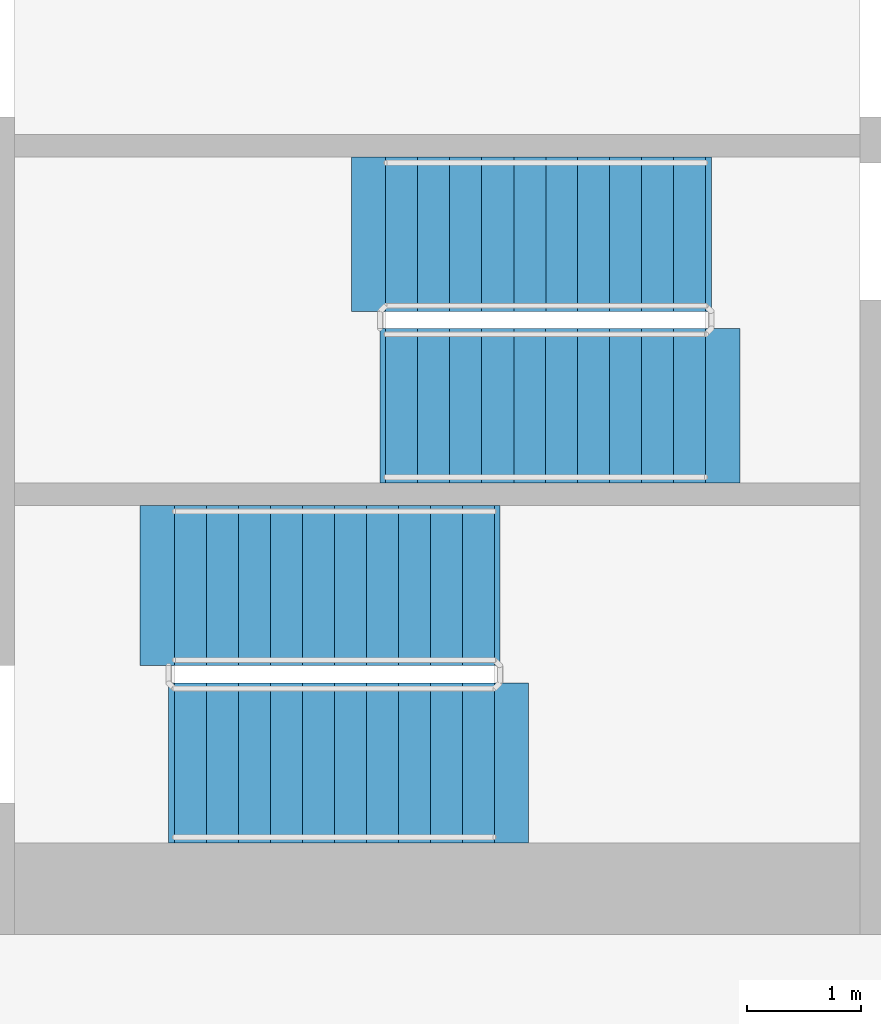
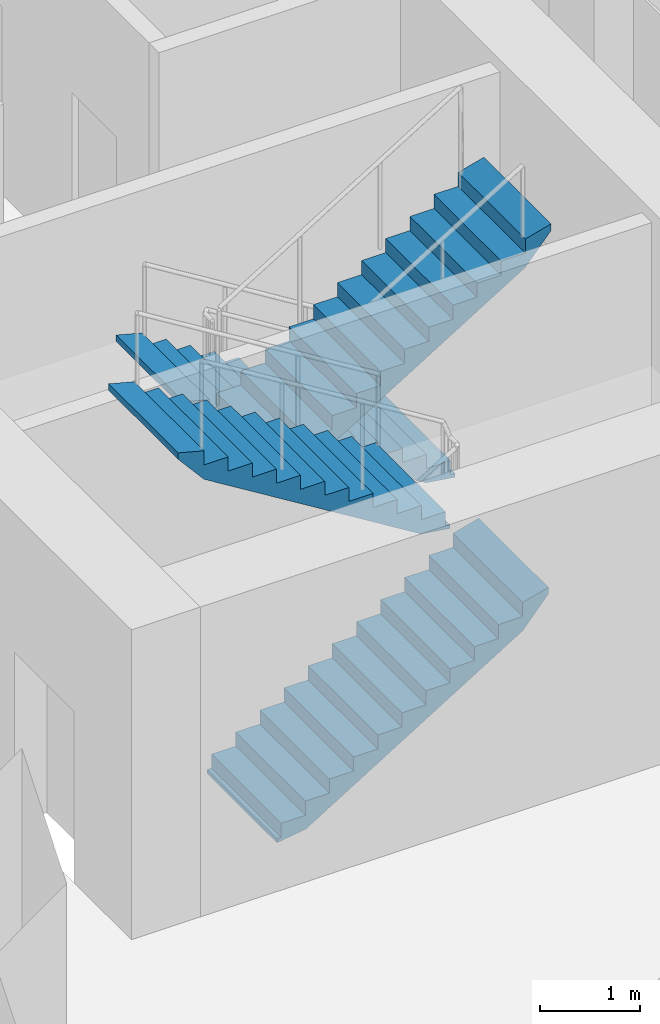
# One storey, part 18 of 22: 4 stair flights, 2 elements without a shape of their own.
"""IFC4 building model written with IfcOpenShell, lengths in metres."""

from ifc_helpers import new_model, si_unit, direction, frame, origin, place, context, subcontext, project, spatial, polyline, outline, extrude, material, type_object, element, aggregate, save


model = new_model("IFC4")

# Units and contexts
model_context = context("Model", 3, precision=1e-05, world=origin(), true_north=direction((0.0, 1.0)))
body_context = subcontext(model_context, "Body", "Model", "MODEL_VIEW")
ifc_project = project(units=[si_unit("LENGTHUNIT", "METRE"), si_unit("AREAUNIT", "SQUARE_METRE"), si_unit("VOLUMEUNIT", "CUBIC_METRE"), si_unit("PLANEANGLEUNIT", "RADIAN"), si_unit("MASSUNIT", "GRAM", prefix="KILO")], contexts=[model_context])

# Site, building, storey
site_placement = place(None, origin())
site = spatial("IfcSite", under=ifc_project, at=site_placement, CompositionType="ELEMENT")
building_placement = place(site_placement, origin())
building = spatial("IfcBuilding", under=site, at=building_placement, Name="Zarbagh Exchange Tower", CompositionType="ELEMENT")
storey_placement = place(building_placement, frame((0.0, 0.0, 124.60009765625)))
storey = spatial("IfcBuildingStorey", under=building, at=storey_placement, Name="L29", CompositionType="ELEMENT", Elevation=124.60009765625)

# Stair, stair flights
ifc_material = material(Name="Concrete C40/50", Category="concrete")
stair_type = type_object("IfcStairType", Name="Exit stair two-flight half-turn", PredefinedType="HALF_TURN_STAIR", material=ifc_material)
stair_1_placement = place(storey_placement, origin())
stair_1 = element("IfcStair", 1, at=stair_1_placement, inside=storey, type_object=stair_type, Name="exit stair ST1", PredefinedType="HALF_TURN_STAIR")
stair_flight_type_1 = type_object("IfcStairFlightType", Name="Stair flight 1350 mm", PredefinedType="STRAIGHT", material=ifc_material)
stair_flight_1_placement = place(storey_placement, frame((2.35009765625, 17.375, 0.0), z_axis=(0.0, 0.0, 1.0), x_axis=(-1.0, 0.0, 0.0)))
stair_flight_1 = element("IfcStairFlight", 2, at=stair_flight_1_placement, type_object=stair_flight_type_1, Name="ST1 flight 1", NumberOfRisers=11, NumberOfTreads=10, PredefinedType="STRAIGHT", RiserHeight=0.172727273, TreadLength=0.28, context=body_context, shape_type="SweptSolid", body=[
    extrude(outline(polyline([(-0.050048828125, -0.050048828125), (-0.050048828125, 0.0), (0.0, 0.0), (0.0, 0.172607421875), (0.280029296875, 0.172607421875), (0.280029296875, 0.345458984375), (0.56005859375, 0.345458984375), (0.56005859375, 0.51806640625), (0.840087890625, 0.51806640625), (0.840087890625, 0.69091796875), (1.1201171875, 0.69091796875), (1.1201171875, 0.863525390625), (1.39990234375, 0.863525390625), (1.39990234375, 1.036376953125), (1.679931640625, 1.036376953125), (1.679931640625, 1.208984375), (1.9599609375, 1.208984375), (1.9599609375, 1.3818359375), (2.239990234375, 1.3818359375), (2.239990234375, 1.554443359375), (2.52001953125, 1.554443359375), (2.52001953125, 1.727294921875), (2.800048828125, 1.727294921875), (2.800048828125, 1.89990234375), (3.10009765625, 1.97998046875), (3.10009765625, 1.89990234375), (2.800048828125, 1.551025390625), (0.285400390625, 0.0), (-0.050048828125, -0.050048828125)])), frame((0.0, 0.675048828125, 0.0), z_axis=(0.0, -1.0, 0.0), x_axis=(1.0, 0.0, 0.0)), (0.0, 0.0, 1.0), 1.35009765625),
])
stair_flight_2_placement = place(storey_placement, frame((-0.449951171875, 15.875, 1.89990234375), z_axis=(0.0, 0.0, 1.0), x_axis=(1.0, 0.0, 0.0)))
stair_flight_2 = element("IfcStairFlight", 3, at=stair_flight_2_placement, type_object=stair_flight_type_1, Name="ST1 flight 2", NumberOfRisers=11, NumberOfTreads=10, PredefinedType="STRAIGHT", RiserHeight=0.172727273, TreadLength=0.28, context=body_context, shape_type="SweptSolid", body=[
    extrude(outline(polyline([(-0.050048828125, -0.050048828125), (-0.050048828125, 0.0), (0.0, 0.0), (0.0, 0.172607421875), (0.280029296875, 0.172607421875), (0.280029296875, 0.345458984375), (0.56005859375, 0.345458984375), (0.56005859375, 0.51806640625), (0.840087890625, 0.51806640625), (0.840087890625, 0.69091796875), (1.1201171875, 0.69091796875), (1.1201171875, 0.863525390625), (1.39990234375, 0.863525390625), (1.39990234375, 1.036376953125), (1.679931640625, 1.036376953125), (1.679931640625, 1.208984375), (1.9599609375, 1.208984375), (1.9599609375, 1.3818359375), (2.239990234375, 1.3818359375), (2.239990234375, 1.554443359375), (2.52001953125, 1.554443359375), (2.52001953125, 1.727294921875), (2.800048828125, 1.727294921875), (2.800048828125, 1.89990234375), (3.10009765625, 1.97998046875), (3.10009765625, 1.89990234375), (2.800048828125, 1.551025390625), (0.285400390625, 0.0), (-0.050048828125, -0.050048828125)])), frame((0.0, 0.675048828125, 0.0), z_axis=(0.0, -1.0, 0.0), x_axis=(1.0, 0.0, 0.0)), (0.0, 0.0, 1.0), 1.35009765625),
])
aggregate(stair_1, [stair_flight_1, stair_flight_2])

stair_2_placement = place(storey_placement, origin())
stair_2 = element("IfcStair", 4, at=stair_2_placement, inside=storey, type_object=stair_type, Name="exit stair ST2", PredefinedType="HALF_TURN_STAIR")
stair_flight_type_2 = type_object("IfcStairFlightType", Name="Stair flight 1400 mm", PredefinedType="STRAIGHT", material=ifc_material)
stair_flight_3_placement = place(storey_placement, frame((-2.300048828125, 12.75, 0.0), z_axis=(0.0, 0.0, 1.0), x_axis=(1.0, 0.0, 0.0)))
stair_flight_3 = element("IfcStairFlight", 5, at=stair_flight_3_placement, type_object=stair_flight_type_2, Name="ST2 flight 1", NumberOfRisers=11, NumberOfTreads=10, PredefinedType="STRAIGHT", RiserHeight=0.172727273, TreadLength=0.28, context=body_context, shape_type="SweptSolid", body=[
    extrude(outline(polyline([(-0.050048828125, -0.050048828125), (-0.050048828125, 0.0), (0.0, 0.0), (0.0, 0.172607421875), (0.280029296875, 0.172607421875), (0.280029296875, 0.345458984375), (0.56005859375, 0.345458984375), (0.56005859375, 0.51806640625), (0.840087890625, 0.51806640625), (0.840087890625, 0.69091796875), (1.1201171875, 0.69091796875), (1.1201171875, 0.863525390625), (1.39990234375, 0.863525390625), (1.39990234375, 1.036376953125), (1.679931640625, 1.036376953125), (1.679931640625, 1.208984375), (1.9599609375, 1.208984375), (1.9599609375, 1.3818359375), (2.239990234375, 1.3818359375), (2.239990234375, 1.554443359375), (2.52001953125, 1.554443359375), (2.52001953125, 1.727294921875), (2.800048828125, 1.727294921875), (2.800048828125, 1.89990234375), (3.10009765625, 1.97998046875), (3.10009765625, 1.89990234375), (2.800048828125, 1.551025390625), (0.285400390625, 0.0), (-0.050048828125, -0.050048828125)])), frame((0.0, 0.699951171875, 0.0), z_axis=(0.0, -1.0, 0.0), x_axis=(1.0, 0.0, 0.0)), (0.0, 0.0, 1.0), 1.39990234375),
])
stair_flight_4_placement = place(storey_placement, frame((0.5, 14.300048828125, 1.89990234375), z_axis=(0.0, 0.0, 1.0), x_axis=(-1.0, 0.0, 0.0)))
stair_flight_4 = element("IfcStairFlight", 6, at=stair_flight_4_placement, type_object=stair_flight_type_2, Name="ST2 flight 2", NumberOfRisers=11, NumberOfTreads=10, PredefinedType="STRAIGHT", RiserHeight=0.172727273, TreadLength=0.28, context=body_context, shape_type="SweptSolid", body=[
    extrude(outline(polyline([(-0.050048828125, -0.050048828125), (-0.050048828125, 0.0), (0.0, 0.0), (0.0, 0.172607421875), (0.280029296875, 0.172607421875), (0.280029296875, 0.345458984375), (0.56005859375, 0.345458984375), (0.56005859375, 0.51806640625), (0.840087890625, 0.51806640625), (0.840087890625, 0.69091796875), (1.1201171875, 0.69091796875), (1.1201171875, 0.863525390625), (1.39990234375, 0.863525390625), (1.39990234375, 1.036376953125), (1.679931640625, 1.036376953125), (1.679931640625, 1.208984375), (1.9599609375, 1.208984375), (1.9599609375, 1.3818359375), (2.239990234375, 1.3818359375), (2.239990234375, 1.554443359375), (2.52001953125, 1.554443359375), (2.52001953125, 1.727294921875), (2.800048828125, 1.727294921875), (2.800048828125, 1.89990234375), (3.10009765625, 1.97998046875), (3.10009765625, 1.89990234375), (2.800048828125, 1.551025390625), (0.285400390625, 0.0), (-0.050048828125, -0.050048828125)])), frame((0.0, 0.699951171875, 0.0), z_axis=(0.0, -1.0, 0.0), x_axis=(1.0, 0.0, 0.0)), (0.0, 0.0, 1.0), 1.39990234375),
])
aggregate(stair_2, [stair_flight_3, stair_flight_4])

save(model, "model.ifc")
